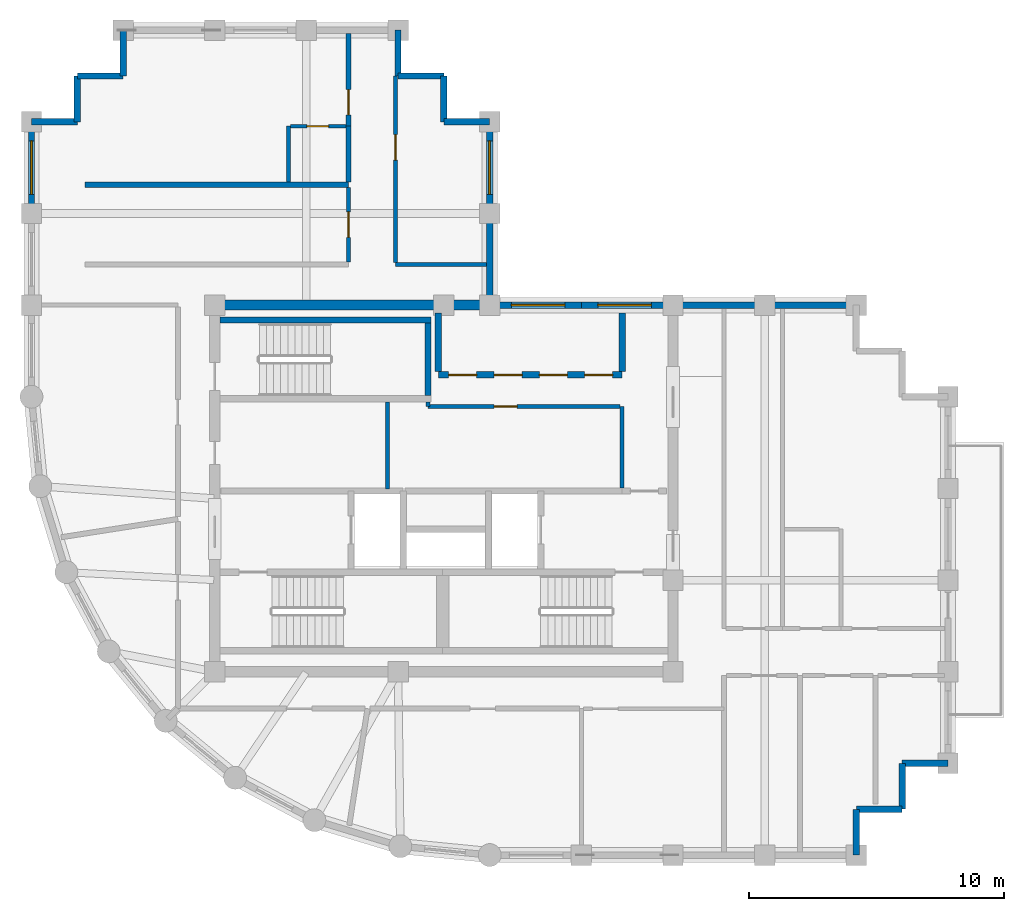
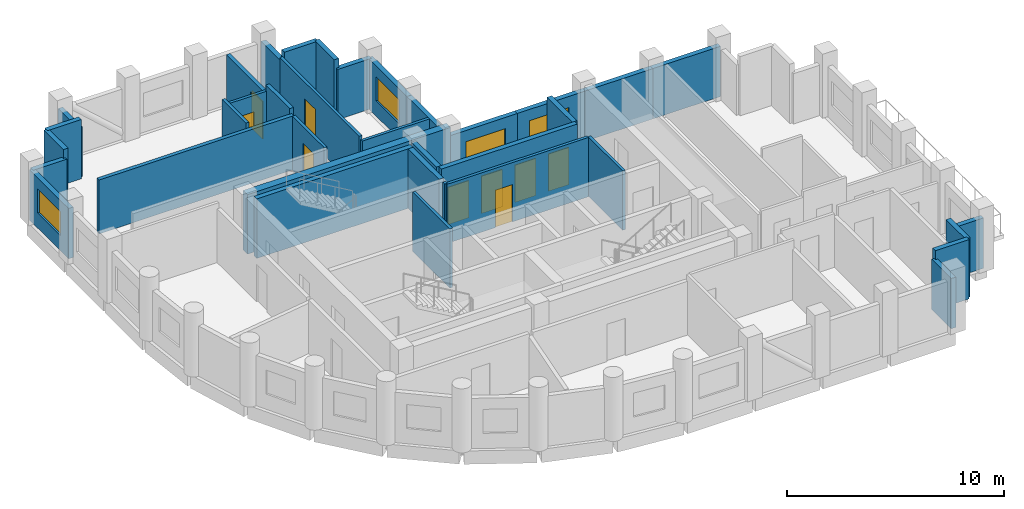
# One storey, part 4 of 6: 37 walls, 9 doors, 4 windows, 13 openings.
"""IFC4 building model written with IfcOpenShell, lengths in metres."""

from ifc_helpers import new_model, si_unit, direction, frame, frame_2d, origin, place, context, subcontext, project, spatial, rectangle, extrude, material, layer, layer_set, type_object, element, fill, save


model = new_model("IFC4")

# Units and contexts
model_context = context("Model", 3, precision=1e-05, world=origin(), true_north=direction((0.0, 1.0)))
body_context = subcontext(model_context, "Body", "Model", "MODEL_VIEW")
ifc_project = project(units=[si_unit("LENGTHUNIT", "METRE"), si_unit("AREAUNIT", "SQUARE_METRE"), si_unit("VOLUMEUNIT", "CUBIC_METRE"), si_unit("PLANEANGLEUNIT", "RADIAN"), si_unit("MASSUNIT", "GRAM", prefix="KILO")], contexts=[model_context])

# Site, building, storey
site_placement = place(None, origin())
site = spatial("IfcSite", under=ifc_project, at=site_placement, CompositionType="ELEMENT")
building_placement = place(site_placement, origin())
building = spatial("IfcBuilding", under=site, at=building_placement, Name="Solnavia Interchange Tower", CompositionType="ELEMENT")
storey_placement = place(building_placement, frame((0.0, 0.0, 224.60009765625)))
storey = spatial("IfcBuildingStorey", under=building, at=storey_placement, Name="L56", CompositionType="ELEMENT", Elevation=224.60009765625)

# Walls
ifc_material_1 = material(Name="Gypsum Acoustic Twin-Stud & Mineral Wool", Category="gypsum")
ifc_layer_1 = layer(ifc_material_1, 0.199951171875)
ifc_layer_set_1 = layer_set([ifc_layer_1], Name="Gypsum Acoustic Twin-Stud & Mineral Wool")
wall_type_1 = type_object("IfcWallType", Name="Wall-ApartmentParty-200", PredefinedType="PARTITIONING", material=ifc_layer_set_1)
wall_1_placement = place(storey_placement, frame((9.300048828125, 29.929931640625, 0.0), z_axis=(0.0, 0.0, 1.0), x_axis=(1.0, 0.0, 0.0)))
element("IfcWall", 1, at=wall_1_placement, inside=storey, type_object=wall_type_1, Name="PTW-L56-25 Interior partition wall", PredefinedType="PARTITIONING", context=body_context, shape_type="SweptSolid", body=[
    extrude(rectangle(XDim=10.349853515625, YDim=0.199951171875, at=frame_2d((5.1748046875, 0.0))), origin(), (0.0, 0.0, 1.0), 3.02978515625),
])
wall_2_placement = place(storey_placement, frame((19.64990234375, 30.033935546875, 0.0), z_axis=(0.0, 0.0, 1.0), x_axis=(0.0, 1.0, 0.0)))
element("IfcWall", 2, at=wall_2_placement, inside=storey, type_object=wall_type_1, Name="PTW-L56-27 Interior partition wall", PredefinedType="PARTITIONING", context=body_context, shape_type="SweptSolid", body=[
    extrude(rectangle(XDim=2.196044921875, YDim=0.199951171875, at=frame_2d((1.09814453125, 0.0))), origin(), (0.0, 0.0, 1.0), 3.3349609375),
])

# Wall, opening, door
wall_3_placement = place(storey_placement, frame((19.64990234375, 32.22998046875, 0.0), z_axis=(0.0, 0.0, 1.0), x_axis=(0.0, 1.0, 0.0)))
wall_3 = element("IfcWall", 3, at=wall_3_placement, inside=storey, type_object=wall_type_1, Name="PTW-L56-28 Interior partition wall", PredefinedType="PARTITIONING", context=body_context, shape_type="SweptSolid", body=[
    extrude(rectangle(XDim=3.64111328125, YDim=0.199951171875, at=frame_2d((1.820556640625, 0.0))), origin(), (0.0, 0.0, 1.0), 2.829833984375),
])
opening_1_placement = place(wall_3_placement, frame((0.43896484375, 0.0, 0.0)))
opening_1 = element("IfcOpeningElement", 4, at=opening_1_placement, cuts=wall_3, Name="Opening DR-06", PredefinedType="OPENING", context=body_context, shape_type="SweptSolid", body=[
    extrude(rectangle(XDim=1.0, YDim=2.10009765625, at=frame_2d((0.5, 1.050048828125))), frame((0.0, 0.10986328125, 0.0), z_axis=(0.0, -1.0, 0.0), x_axis=(1.0, 0.0, 0.0)), (0.0, 0.0, 1.0), 0.219970703125),
])
ifc_material_2 = material(Name="Engineered Timber Acoustic Fire Door", Category="wood")
door_type_1 = type_object("IfcDoorType", Name="Door-FlatEntry-1000x2100", OperationType="SINGLE_SWING_LEFT", PredefinedType="DOOR", material=ifc_material_2)
door_1_placement = place(opening_1_placement, origin())
door_1 = element("IfcDoor", 5, at=door_1_placement, inside=storey, type_object=door_type_1, Name="DR-L56-13 Interior room door", OperationType="SINGLE_SWING_RIGHT", OverallHeight=2.10009765625, OverallWidth=1.0, PredefinedType="DOOR", context=body_context, shape_type="SweptSolid", body=[
    extrude(rectangle(XDim=1.0, YDim=2.10009765625, at=frame_2d((0.5, 1.050048828125))), frame((0.0, 0.02490234375, 0.0), z_axis=(0.0, -1.0, 0.0), x_axis=(1.0, 0.0, 0.0)), (0.0, 0.0, 1.0), 0.050048828125),
])
fill(opening_1, door_1)

# Walls
ifc_material_3 = material(Name="Concrete C40/50", Category="concrete")
ifc_layer_2 = layer(ifc_material_3, 0.25)
ifc_layer_set_2 = layer_set([ifc_layer_2], Name="Concrete C40/50")
wall_type_2 = type_object("IfcWallType", Name="Wall-ExtSpandrel-250", PredefinedType="STANDARD", material=ifc_layer_set_2)
wall_4_placement = place(storey_placement, frame((39.60009765625, 5.39990234375, 0.0), z_axis=(0.0, 0.0, 1.0), x_axis=(0.0, -1.0, 0.0)))
element("IfcWall", 6, at=wall_4_placement, inside=storey, type_object=wall_type_2, Name="EXW-L56-05 Exterior precast spandrel wall", PredefinedType="STANDARD", context=body_context, shape_type="SweptSolid", body=[
    extrude(rectangle(XDim=1.7998046875, YDim=0.25, at=frame_2d((0.89990234375, 0.0))), origin(), (0.0, 0.0, 1.0), 2.829833984375),
])
wall_5_placement = place(storey_placement, frame((41.39990234375, 5.39990234375, 0.0), z_axis=(0.0, 0.0, 1.0), x_axis=(-1.0, 0.0, 0.0)))
element("IfcWall", 7, at=wall_5_placement, inside=storey, type_object=wall_type_2, Name="EXW-L56-06 Exterior precast spandrel wall", PredefinedType="STANDARD", context=body_context, shape_type="SweptSolid", body=[
    extrude(rectangle(XDim=1.7998046875, YDim=0.25, at=frame_2d((0.89990234375, 0.0))), origin(), (0.0, 0.0, 1.0), 3.3349609375),
])
wall_6_placement = place(storey_placement, frame((41.39990234375, 7.199951171875, 0.0), z_axis=(0.0, 0.0, 1.0), x_axis=(0.0, -1.0, 0.0)))
element("IfcWall", 8, at=wall_6_placement, inside=storey, type_object=wall_type_2, Name="EXW-L56-07 Exterior precast spandrel wall", PredefinedType="STANDARD", context=body_context, shape_type="SweptSolid", body=[
    extrude(rectangle(XDim=1.800048828125, YDim=0.25, at=frame_2d((0.89990234375, 0.0))), origin(), (0.0, 0.0, 1.0), 3.3349609375),
])
wall_7_placement = place(storey_placement, frame((43.199951171875, 7.199951171875, 0.0), z_axis=(0.0, 0.0, 1.0), x_axis=(-1.0, 0.0, 0.0)))
element("IfcWall", 9, at=wall_7_placement, inside=storey, type_object=wall_type_2, Name="EXW-L56-08 Exterior precast spandrel wall", PredefinedType="STANDARD", context=body_context, shape_type="SweptSolid", body=[
    extrude(rectangle(XDim=1.800048828125, YDim=0.25, at=frame_2d((0.89990234375, 0.0))), origin(), (0.0, 0.0, 1.0), 2.829833984375),
])
for number, where, z_axis, x_axis, name in (
    (10, (36.0, 25.199951171875, 0.0), (0.0, 0.0, 1.0), (1.0, 0.0, 0.0), "EXW-L56-17 Exterior precast spandrel wall"),
    (11, (32.39990234375, 25.199951171875, 0.0), (0.0, 0.0, 1.0), (1.0, 0.0, 0.0), "EXW-L56-18 Exterior precast spandrel wall"),
):
    element("IfcWall", number, at=place(storey_placement, frame(where, z_axis=z_axis, x_axis=x_axis)), inside=storey, type_object=wall_type_2, Name=name, PredefinedType="STANDARD", context=body_context, shape_type="SweptSolid", body=[
        extrude(rectangle(XDim=3.60009765625, YDim=0.25, at=frame_2d((1.800048828125, 0.0))), origin(), (0.0, 0.0, 1.0), 2.829833984375),
    ])

# Wall, opening, window
wall_8_placement = place(storey_placement, frame((28.800048828125, 25.199951171875, 0.0), z_axis=(0.0, 0.0, 1.0), x_axis=(1.0, 0.0, 0.0)))
wall_8 = element("IfcWall", 12, at=wall_8_placement, inside=storey, type_object=wall_type_2, Name="EXW-L56-19 Exterior precast spandrel wall", PredefinedType="STANDARD", context=body_context, shape_type="SweptSolid", body=[
    extrude(rectangle(XDim=3.599853515625, YDim=0.25, at=frame_2d((1.7998046875, 0.0))), origin(), (0.0, 0.0, 1.0), 2.829833984375),
])
opening_2_placement = place(wall_8_placement, frame((0.64501953125, 0.0, 0.85009765625)))
opening_2 = element("IfcOpeningElement", 13, at=opening_2_placement, cuts=wall_8, Name="Opening WIN-01", PredefinedType="OPENING", context=body_context, shape_type="SweptSolid", body=[
    extrude(rectangle(XDim=2.10009765625, YDim=1.35009765625, at=frame_2d((1.050048828125, 0.675048828125))), frame((0.0, 0.135009765625, 0.0), z_axis=(0.0, -1.0, 0.0), x_axis=(1.0, 0.0, 0.0)), (0.0, 0.0, 1.0), 0.27001953125),
])
ifc_material_4 = material(Name="Thermal-Break Aluminium & Low-E Glass", Category="aluminium")
window_type = type_object("IfcWindowType", Name="Window-Ribbon-2100x1350", PartitioningType="SINGLE_PANEL", PredefinedType="WINDOW", material=ifc_material_4)
window_1_placement = place(opening_2_placement, origin())
window_1 = element("IfcWindow", 14, at=window_1_placement, inside=storey, type_object=window_type, Name="WIN-L56-19 Facade ribbon window", OverallHeight=1.35009765625, OverallWidth=2.10009765625, PartitioningType="SINGLE_PANEL", PredefinedType="WINDOW", context=body_context, shape_type="SweptSolid", body=[
    extrude(rectangle(XDim=2.10009765625, YDim=1.35009765625, at=frame_2d((1.050048828125, 0.675048828125))), frame((0.0, 0.030029296875, 0.0), z_axis=(0.0, -1.0, 0.0), x_axis=(1.0, 0.0, 0.0)), (0.0, 0.0, 1.0), 0.06005859375),
])
fill(opening_2, window_1)

wall_9_placement = place(storey_placement, frame((25.199951171875, 25.199951171875, 0.0), z_axis=(0.0, 0.0, 1.0), x_axis=(1.0, 0.0, 0.0)))
wall_9 = element("IfcWall", 15, at=wall_9_placement, inside=storey, type_object=wall_type_2, Name="EXW-L56-20 Exterior precast spandrel wall", PredefinedType="STANDARD", context=body_context, shape_type="SweptSolid", body=[
    extrude(rectangle(XDim=3.60009765625, YDim=0.25, at=frame_2d((1.800048828125, 0.0))), origin(), (0.0, 0.0, 1.0), 2.829833984375),
])
opening_3_placement = place(wall_9_placement, frame((0.85498046875, 0.0, 0.85009765625)))
opening_3 = element("IfcOpeningElement", 16, at=opening_3_placement, cuts=wall_9, Name="Opening WIN-01", PredefinedType="OPENING", context=body_context, shape_type="SweptSolid", body=[
    extrude(rectangle(XDim=2.10009765625, YDim=1.35009765625, at=frame_2d((1.050048828125, 0.675048828125))), frame((0.0, 0.135009765625, 0.0), z_axis=(0.0, -1.0, 0.0), x_axis=(1.0, 0.0, 0.0)), (0.0, 0.0, 1.0), 0.27001953125),
])
window_2_placement = place(opening_3_placement, origin())
window_2 = element("IfcWindow", 17, at=window_2_placement, inside=storey, type_object=window_type, Name="WIN-L56-20 Facade ribbon window", OverallHeight=1.35009765625, OverallWidth=2.10009765625, PartitioningType="SINGLE_PANEL", PredefinedType="WINDOW", context=body_context, shape_type="SweptSolid", body=[
    extrude(rectangle(XDim=2.10009765625, YDim=1.35009765625, at=frame_2d((1.050048828125, 0.675048828125))), frame((0.0, 0.030029296875, 0.0), z_axis=(0.0, -1.0, 0.0), x_axis=(1.0, 0.0, 0.0)), (0.0, 0.0, 1.0), 0.06005859375),
])
fill(opening_3, window_2)

# Wall
wall_10_placement = place(storey_placement, frame((25.199951171875, 28.800048828125, 0.0), z_axis=(0.0, 0.0, 1.0), x_axis=(0.0, -1.0, 0.0)))
element("IfcWall", 18, at=wall_10_placement, inside=storey, type_object=wall_type_2, Name="EXW-L56-21 Exterior precast spandrel wall", PredefinedType="STANDARD", context=body_context, shape_type="SweptSolid", body=[
    extrude(rectangle(XDim=3.60009765625, YDim=0.25, at=frame_2d((1.800048828125, 0.0))), origin(), (0.0, 0.0, 1.0), 2.829833984375),
])

# Wall, opening, window
wall_11_placement = place(storey_placement, frame((25.199951171875, 32.39990234375, 0.0), z_axis=(0.0, 0.0, 1.0), x_axis=(0.0, -1.0, 0.0)))
wall_11 = element("IfcWall", 19, at=wall_11_placement, inside=storey, type_object=wall_type_2, Name="EXW-L56-22 Exterior precast spandrel wall", PredefinedType="STANDARD", context=body_context, shape_type="SweptSolid", body=[
    extrude(rectangle(XDim=3.599853515625, YDim=0.25, at=frame_2d((1.7998046875, 0.0))), origin(), (0.0, 0.0, 1.0), 2.829833984375),
])
opening_4_placement = place(wall_11_placement, frame((0.75, 0.0, 0.85009765625)))
opening_4 = element("IfcOpeningElement", 20, at=opening_4_placement, cuts=wall_11, Name="Opening WIN-01", PredefinedType="OPENING", context=body_context, shape_type="SweptSolid", body=[
    extrude(rectangle(XDim=2.10009765625, YDim=1.35009765625, at=frame_2d((1.050048828125, 0.675048828125))), frame((0.0, 0.135009765625, 0.0), z_axis=(0.0, -1.0, 0.0), x_axis=(1.0, 0.0, 0.0)), (0.0, 0.0, 1.0), 0.27001953125),
])
window_3_placement = place(opening_4_placement, origin())
window_3 = element("IfcWindow", 21, at=window_3_placement, inside=storey, type_object=window_type, Name="WIN-L56-22 Facade ribbon window", OverallHeight=1.35009765625, OverallWidth=2.10009765625, PartitioningType="SINGLE_PANEL", PredefinedType="WINDOW", context=body_context, shape_type="SweptSolid", body=[
    extrude(rectangle(XDim=2.10009765625, YDim=1.35009765625, at=frame_2d((1.050048828125, 0.675048828125))), frame((0.0, 0.030029296875, 0.0), z_axis=(0.0, -1.0, 0.0), x_axis=(1.0, 0.0, 0.0)), (0.0, 0.0, 1.0), 0.06005859375),
])
fill(opening_4, window_3)

# Walls
wall_12_placement = place(storey_placement, frame((23.39990234375, 32.39990234375, 0.0), z_axis=(0.0, 0.0, 1.0), x_axis=(1.0, 0.0, 0.0)))
element("IfcWall", 22, at=wall_12_placement, inside=storey, type_object=wall_type_2, Name="EXW-L56-23 Exterior precast spandrel wall", PredefinedType="STANDARD", context=body_context, shape_type="SweptSolid", body=[
    extrude(rectangle(XDim=1.800048828125, YDim=0.25, at=frame_2d((0.89990234375, 0.0))), origin(), (0.0, 0.0, 1.0), 2.829833984375),
])
wall_13_placement = place(storey_placement, frame((23.39990234375, 32.39990234375, 0.0), z_axis=(0.0, 0.0, 1.0), x_axis=(0.0, 1.0, 0.0)))
element("IfcWall", 23, at=wall_13_placement, inside=storey, type_object=wall_type_2, Name="EXW-L56-24 Exterior precast spandrel wall", PredefinedType="STANDARD", context=body_context, shape_type="SweptSolid", body=[
    extrude(rectangle(XDim=1.800048828125, YDim=0.25, at=frame_2d((0.89990234375, 0.0))), origin(), (0.0, 0.0, 1.0), 3.3349609375),
])
wall_14_placement = place(storey_placement, frame((21.60009765625, 34.199951171875, 0.0), z_axis=(0.0, 0.0, 1.0), x_axis=(1.0, 0.0, 0.0)))
element("IfcWall", 24, at=wall_14_placement, inside=storey, type_object=wall_type_2, Name="EXW-L56-25 Exterior precast spandrel wall", PredefinedType="STANDARD", context=body_context, shape_type="SweptSolid", body=[
    extrude(rectangle(XDim=1.7998046875, YDim=0.25, at=frame_2d((0.89990234375, 0.0))), origin(), (0.0, 0.0, 1.0), 3.3349609375),
])
for number, where, z_axis, x_axis, name in (
    (25, (21.60009765625, 34.199951171875, 0.0), (0.0, 0.0, 1.0), (0.0, 1.0, 0.0), "EXW-L56-26 Exterior precast spandrel wall"),
    (26, (10.800048828125, 34.199951171875, 0.0), (0.0, 0.0, 1.0), (0.0, 1.0, 0.0), "EXW-L56-30 Exterior precast spandrel wall"),
):
    element("IfcWall", number, at=place(storey_placement, frame(where, z_axis=z_axis, x_axis=x_axis)), inside=storey, type_object=wall_type_2, Name=name, PredefinedType="STANDARD", context=body_context, shape_type="SweptSolid", body=[
        extrude(rectangle(XDim=1.800048828125, YDim=0.25, at=frame_2d((0.89990234375, 0.0))), origin(), (0.0, 0.0, 1.0), 2.829833984375),
    ])
for number, where, z_axis, x_axis, name in (
    (27, (9.0, 34.199951171875, 0.0), (0.0, 0.0, 1.0), (1.0, 0.0, 0.0), "EXW-L56-31 Exterior precast spandrel wall"),
    (28, (9.0, 32.39990234375, 0.0), (0.0, 0.0, 1.0), (0.0, 1.0, 0.0), "EXW-L56-32 Exterior precast spandrel wall"),
):
    element("IfcWall", number, at=place(storey_placement, frame(where, z_axis=z_axis, x_axis=x_axis)), inside=storey, type_object=wall_type_2, Name=name, PredefinedType="STANDARD", context=body_context, shape_type="SweptSolid", body=[
        extrude(rectangle(XDim=1.800048828125, YDim=0.25, at=frame_2d((0.89990234375, 0.0))), origin(), (0.0, 0.0, 1.0), 3.3349609375),
    ])
wall_15_placement = place(storey_placement, frame((7.199951171875, 32.39990234375, 0.0), z_axis=(0.0, 0.0, 1.0), x_axis=(1.0, 0.0, 0.0)))
element("IfcWall", 29, at=wall_15_placement, inside=storey, type_object=wall_type_2, Name="EXW-L56-33 Exterior precast spandrel wall", PredefinedType="STANDARD", context=body_context, shape_type="SweptSolid", body=[
    extrude(rectangle(XDim=1.800048828125, YDim=0.25, at=frame_2d((0.89990234375, 0.0))), origin(), (0.0, 0.0, 1.0), 2.829833984375),
])

# Wall, opening, window
wall_16_placement = place(storey_placement, frame((7.199951171875, 28.800048828125, 0.0), z_axis=(0.0, 0.0, 1.0), x_axis=(0.0, 1.0, 0.0)))
wall_16 = element("IfcWall", 30, at=wall_16_placement, inside=storey, type_object=wall_type_2, Name="EXW-L56-34 Exterior precast spandrel wall", PredefinedType="STANDARD", context=body_context, shape_type="SweptSolid", body=[
    extrude(rectangle(XDim=3.599853515625, YDim=0.25, at=frame_2d((1.7998046875, 0.0))), origin(), (0.0, 0.0, 1.0), 2.829833984375),
])
opening_5_placement = place(wall_16_placement, frame((0.75, 0.0, 0.85009765625)))
opening_5 = element("IfcOpeningElement", 31, at=opening_5_placement, cuts=wall_16, Name="Opening WIN-01", PredefinedType="OPENING", context=body_context, shape_type="SweptSolid", body=[
    extrude(rectangle(XDim=2.10009765625, YDim=1.35009765625, at=frame_2d((1.050048828125, 0.675048828125))), frame((0.0, 0.135009765625, 0.0), z_axis=(0.0, -1.0, 0.0), x_axis=(1.0, 0.0, 0.0)), (0.0, 0.0, 1.0), 0.27001953125),
])
window_4_placement = place(opening_5_placement, origin())
window_4 = element("IfcWindow", 32, at=window_4_placement, inside=storey, type_object=window_type, Name="WIN-L56-34 Facade ribbon window", OverallHeight=1.35009765625, OverallWidth=2.10009765625, PartitioningType="SINGLE_PANEL", PredefinedType="WINDOW", context=body_context, shape_type="SweptSolid", body=[
    extrude(rectangle(XDim=2.10009765625, YDim=1.35009765625, at=frame_2d((1.050048828125, 0.675048828125))), frame((0.0, 0.030029296875, 0.0), z_axis=(0.0, -1.0, 0.0), x_axis=(1.0, 0.0, 0.0)), (0.0, 0.0, 1.0), 0.06005859375),
])
fill(opening_5, window_4)

# Wall, opening, door
ifc_material_5 = material(Name="Gypsum Plasterboard & Steel Stud", Category="steel")
ifc_layer_3 = layer(ifc_material_5, 0.14990234375)
ifc_layer_set_3 = layer_set([ifc_layer_3], Name="Gypsum Plasterboard & Steel Stud")
wall_type_3 = type_object("IfcWallType", Name="Wall-Partition-150", PredefinedType="PARTITIONING", material=ifc_layer_set_3)
wall_17_placement = place(storey_placement, frame((22.77490234375, 21.219970703125, 0.0), z_axis=(0.0, 0.0, 1.0), x_axis=(1.0, 0.0, 0.0)))
wall_17 = element("IfcWall", 33, at=wall_17_placement, inside=storey, type_object=wall_type_3, Name="CSW-L56-N-ALL Core shaft wall", PredefinedType="PARTITIONING", context=body_context, shape_type="SweptSolid", body=[
    extrude(rectangle(XDim=7.545166015625, YDim=0.14990234375, at=frame_2d((3.7724609375, 0.0))), origin(), (0.0, 0.0, 1.0), 3.3349609375),
])
opening_6_placement = place(wall_17_placement, frame((2.60009765625, 0.0, 0.0)))
opening_6 = element("IfcOpeningElement", 34, at=opening_6_placement, cuts=wall_17, Name="Opening DR-09", PredefinedType="OPENING", context=body_context, shape_type="SweptSolid", body=[
    extrude(rectangle(XDim=0.89990234375, YDim=2.10009765625, at=frame_2d((0.449951171875, 1.050048828125))), frame((0.0, 0.0849609375, 0.0), z_axis=(0.0, -1.0, 0.0), x_axis=(1.0, 0.0, 0.0)), (0.0, 0.0, 1.0), 0.169921875),
])
ifc_material_6 = material(Name="Engineered Oak Veneer Door", Category="wood")
door_type_2 = type_object("IfcDoorType", Name="Door-Internal-900x2100", OperationType="SINGLE_SWING_LEFT", PredefinedType="DOOR", material=ifc_material_6)
door_2_placement = place(opening_6_placement, origin())
door_2 = element("IfcDoor", 35, at=door_2_placement, inside=storey, type_object=door_type_2, Name="DR-L56-CS2 Core fire door", OperationType="SINGLE_SWING_RIGHT", OverallHeight=2.10009765625, OverallWidth=0.89990234375, PredefinedType="DOOR", context=body_context, shape_type="SweptSolid", body=[
    extrude(rectangle(XDim=0.89990234375, YDim=2.10009765625, at=frame_2d((0.449951171875, 1.050048828125))), frame((0.0, 0.02490234375, 0.0), z_axis=(0.0, -1.0, 0.0), x_axis=(1.0, 0.0, 0.0)), (0.0, 0.0, 1.0), 0.050048828125),
])
fill(opening_6, door_2)

# Walls
wall_18_placement = place(storey_placement, frame((22.77490234375, 21.219970703125, 0.0), z_axis=(0.0, 0.0, 1.0), x_axis=(0.0, 1.0, 0.0)))
element("IfcWall", 36, at=wall_18_placement, inside=storey, type_object=wall_type_3, Name="CSW-L56-ST-TIE Core shaft wall", PredefinedType="PARTITIONING", context=body_context, shape_type="SweptSolid", body=[
    extrude(rectangle(XDim=0.175048828125, YDim=0.14990234375, at=frame_2d((0.08740234375, 0.0))), origin(), (0.0, 0.0, 1.0), 3.3349609375),
])
wall_19_placement = place(storey_placement, frame((30.39990234375, 18.02001953125, 0.0), z_axis=(0.0, 0.0, 1.0), x_axis=(0.0, 1.0, 0.0)))
element("IfcWall", 37, at=wall_19_placement, inside=storey, type_object=wall_type_3, Name="CSW-L56-E-E Core shaft wall", PredefinedType="PARTITIONING", context=body_context, shape_type="SweptSolid", body=[
    extrude(rectangle(XDim=3.199951171875, YDim=0.14990234375, at=frame_2d((1.60009765625, 0.0))), origin(), (0.0, 0.0, 1.0), 3.3349609375),
])
wall_20_placement = place(storey_placement, frame((21.179931640625, 17.97998046875, 0.0), z_axis=(0.0, 0.0, 1.0), x_axis=(0.0, 1.0, 0.0)))
element("IfcWall", 38, at=wall_20_placement, inside=storey, type_object=wall_type_3, Name="CSW-L56-M0 Core shaft wall", PredefinedType="PARTITIONING", context=body_context, shape_type="SweptSolid", body=[
    extrude(rectangle(XDim=3.419921875, YDim=0.14990234375, at=frame_2d((1.7099609375, 0.0))), origin(), (0.0, 0.0, 1.0), 3.3349609375),
])

# Wall, opening, door
wall_21_placement = place(storey_placement, frame((19.64990234375, 26.904052734375, 0.0), z_axis=(0.0, 0.0, 1.0), x_axis=(0.0, 1.0, 0.0)))
wall_21 = element("IfcWall", 39, at=wall_21_placement, inside=storey, type_object=wall_type_3, Name="PTW-L56-26 Interior partition wall", PredefinedType="PARTITIONING", context=body_context, shape_type="SweptSolid", body=[
    extrude(rectangle(XDim=2.921875, YDim=0.14990234375, at=frame_2d((1.4609375, 0.0))), origin(), (0.0, 0.0, 1.0), 3.02978515625),
])
opening_7_placement = place(wall_21_placement, frame((0.9609375, 0.0, 0.0)))
opening_7 = element("IfcOpeningElement", 40, at=opening_7_placement, cuts=wall_21, Name="Opening DR-07", PredefinedType="OPENING", context=body_context, shape_type="SweptSolid", body=[
    extrude(rectangle(XDim=1.0, YDim=2.10009765625, at=frame_2d((0.5, 1.050048828125))), frame((0.0, 0.0849609375, 0.0), z_axis=(0.0, -1.0, 0.0), x_axis=(1.0, 0.0, 0.0)), (0.0, 0.0, 1.0), 0.169921875),
])
ifc_material_7 = material(Name="Timber & Acoustic Glazed Office Door", Category="wood")
door_type_3 = type_object("IfcDoorType", Name="Door-Office-1000x2100", OperationType="SINGLE_SWING_RIGHT", PredefinedType="DOOR", material=ifc_material_7)
door_3_placement = place(opening_7_placement, origin())
door_3 = element("IfcDoor", 41, at=door_3_placement, inside=storey, type_object=door_type_3, Name="DR-L56-12 Interior room door", OperationType="SINGLE_SWING_RIGHT", OverallHeight=2.10009765625, OverallWidth=1.0, PredefinedType="DOOR", context=body_context, shape_type="SweptSolid", body=[
    extrude(rectangle(XDim=1.0, YDim=2.10009765625, at=frame_2d((0.5, 1.050048828125))), frame((0.0, 0.02490234375, 0.0), z_axis=(0.0, -1.0, 0.0), x_axis=(1.0, 0.0, 0.0)), (0.0, 0.0, 1.0), 0.050048828125),
])
fill(opening_7, door_3)

# Wall
wall_22_placement = place(storey_placement, frame((21.5, 26.800048828125, 0.0), z_axis=(0.0, 0.0, 1.0), x_axis=(1.0, 0.0, 0.0)))
element("IfcWall", 42, at=wall_22_placement, inside=storey, type_object=wall_type_3, Name="PTW-L56-31 Interior partition wall", PredefinedType="PARTITIONING", context=body_context, shape_type="SweptSolid", body=[
    extrude(rectangle(XDim=3.571044921875, YDim=0.14990234375, at=frame_2d((1.78564453125, 0.0))), origin(), (0.0, 0.0, 1.0), 2.829833984375),
])

# Wall, opening, door
wall_23_placement = place(storey_placement, frame((21.5, 26.87890625, 0.0), z_axis=(0.0, 0.0, 1.0), x_axis=(0.0, 1.0, 0.0)))
wall_23 = element("IfcWall", 43, at=wall_23_placement, inside=storey, type_object=wall_type_3, Name="PTW-L56-32 Interior partition wall", PredefinedType="PARTITIONING", context=body_context, shape_type="SweptSolid", body=[
    extrude(rectangle(XDim=7.321044921875, YDim=0.14990234375, at=frame_2d((3.66064453125, 0.0))), origin(), (0.0, 0.0, 1.0), 3.02978515625),
])
opening_8_placement = place(wall_23_placement, frame((4.02099609375, 0.0, 0.0)))
opening_8 = element("IfcOpeningElement", 44, at=opening_8_placement, cuts=wall_23, Name="Opening DR-07", PredefinedType="OPENING", context=body_context, shape_type="SweptSolid", body=[
    extrude(rectangle(XDim=1.0, YDim=2.10009765625, at=frame_2d((0.5, 1.050048828125))), frame((0.0, 0.0849609375, 0.0), z_axis=(0.0, -1.0, 0.0), x_axis=(1.0, 0.0, 0.0)), (0.0, 0.0, 1.0), 0.169921875),
])
door_4_placement = place(opening_8_placement, origin())
door_4 = element("IfcDoor", 45, at=door_4_placement, inside=storey, type_object=door_type_3, Name="DR-L56-15 Interior room door", OperationType="SINGLE_SWING_LEFT", OverallHeight=2.10009765625, OverallWidth=1.0, PredefinedType="DOOR", context=body_context, shape_type="SweptSolid", body=[
    extrude(rectangle(XDim=1.0, YDim=2.10009765625, at=frame_2d((0.5, 1.050048828125))), frame((0.0, 0.02490234375, 0.0), z_axis=(0.0, -1.0, 0.0), x_axis=(1.0, 0.0, 0.0)), (0.0, 0.0, 1.0), 0.050048828125),
])
fill(opening_8, door_4)

# Walls
ifc_layer_4 = layer(ifc_material_3, 0.25)
ifc_layer_set_4 = layer_set([ifc_layer_4], Name="Concrete C40/50")
wall_type_4 = type_object("IfcWallType", Name="Wall-ShaftCore-250", PredefinedType="SHEAR", material=ifc_layer_set_4)
wall_24_placement = place(storey_placement, frame((14.60009765625, 24.614990234375, 0.0), z_axis=(0.0, 0.0, 1.0), x_axis=(1.0, 0.0, 0.0)))
element("IfcWall", 46, at=wall_24_placement, inside=storey, type_object=wall_type_4, Name="SHW-L56-ST3N Core shear wall", PredefinedType="SHEAR", context=body_context, shape_type="SweptSolid", body=[
    extrude(rectangle(XDim=8.2998046875, YDim=0.25, at=frame_2d((4.14990234375, 0.0))), origin(), (0.0, 0.0, 1.0), 3.349853515625),
])
wall_25_placement = place(storey_placement, frame((22.77490234375, 21.64990234375, 0.0), z_axis=(0.0, 0.0, 1.0), x_axis=(0.0, 1.0, 0.0)))
element("IfcWall", 47, at=wall_25_placement, inside=storey, type_object=wall_type_4, Name="SHW-L56-ST3E Core shear wall", PredefinedType="SHEAR", context=body_context, shape_type="SweptSolid", body=[
    extrude(rectangle(XDim=2.840087890625, YDim=0.25, at=frame_2d((1.419921875, 0.0))), origin(), (0.0, 0.0, 1.0), 3.349853515625),
])

# Wall, openings, doors
ifc_layer_5 = layer(ifc_material_3, 0.25)
ifc_layer_set_5 = layer_set([ifc_layer_5], Name="Concrete C40/50")
wall_type_5 = type_object("IfcWallType", Name="Wall-ShaftPart-250", PredefinedType="PARTITIONING", material=ifc_layer_set_5)
wall_26_placement = place(storey_placement, frame((23.179931640625, 22.4599609375, 0.0), z_axis=(0.0, 0.0, 1.0), x_axis=(1.0, 0.0, 0.0)))
wall_26 = element("IfcWall", 48, at=wall_26_placement, inside=storey, type_object=wall_type_5, Name="SHW-L56-B3S Core shaft wall", PredefinedType="PARTITIONING", context=body_context, shape_type="SweptSolid", body=[
    extrude(rectangle(XDim=7.219970703125, YDim=0.25, at=frame_2d((3.60986328125, 0.0))), origin(), (0.0, 0.0, 1.0), 3.3349609375),
])
opening_9_placement = place(wall_26_placement, frame((0.409912109375, 0.0, 0.0)))
opening_9 = element("IfcOpeningElement", 49, at=opening_9_placement, cuts=wall_26, Name="Opening LD-01", PredefinedType="OPENING", context=body_context, shape_type="SweptSolid", body=[
    extrude(rectangle(XDim=1.10009765625, YDim=2.10009765625, at=frame_2d((0.550048828125, 1.050048828125))), frame((0.0, 0.135009765625, 0.0), z_axis=(0.0, -1.0, 0.0), x_axis=(1.0, 0.0, 0.0)), (0.0, 0.0, 1.0), 0.27001953125),
])
opening_10_placement = place(wall_26_placement, frame((2.18994140625, 0.0, 0.0)))
opening_10 = element("IfcOpeningElement", 50, at=opening_10_placement, cuts=wall_26, Name="Opening LD-01", PredefinedType="OPENING", context=body_context, shape_type="SweptSolid", body=[
    extrude(rectangle(XDim=1.10009765625, YDim=2.10009765625, at=frame_2d((0.550048828125, 1.050048828125))), frame((0.0, 0.135009765625, 0.0), z_axis=(0.0, -1.0, 0.0), x_axis=(1.0, 0.0, 0.0)), (0.0, 0.0, 1.0), 0.27001953125),
])
opening_11_placement = place(wall_26_placement, frame((3.969970703125, 0.0, 0.0)))
opening_11 = element("IfcOpeningElement", 51, at=opening_11_placement, cuts=wall_26, Name="Opening LD-01", PredefinedType="OPENING", context=body_context, shape_type="SweptSolid", body=[
    extrude(rectangle(XDim=1.10009765625, YDim=2.10009765625, at=frame_2d((0.550048828125, 1.050048828125))), frame((0.0, 0.135009765625, 0.0), z_axis=(0.0, -1.0, 0.0), x_axis=(1.0, 0.0, 0.0)), (0.0, 0.0, 1.0), 0.27001953125),
])
opening_12_placement = place(wall_26_placement, frame((5.75, 0.0, 0.0)))
opening_12 = element("IfcOpeningElement", 52, at=opening_12_placement, cuts=wall_26, Name="Opening LD-01", PredefinedType="OPENING", context=body_context, shape_type="SweptSolid", body=[
    extrude(rectangle(XDim=1.10009765625, YDim=2.10009765625, at=frame_2d((0.550048828125, 1.050048828125))), frame((0.0, 0.135009765625, 0.0), z_axis=(0.0, -1.0, 0.0), x_axis=(1.0, 0.0, 0.0)), (0.0, 0.0, 1.0), 0.27001953125),
])
ifc_material_8 = material(Name="Brushed Stainless Steel Sliding Door", Category="steel")
door_type_4 = type_object("IfcDoorType", Name="Door-LiftLanding-1100x2100", OperationType="SLIDING_TO_LEFT", PredefinedType="DOOR", material=ifc_material_8)
door_5_placement = place(opening_9_placement, origin())
door_5 = element("IfcDoor", 53, at=door_5_placement, inside=storey, type_object=door_type_4, Name="LD-L56-B3-1 Lift landing sliding door", OperationType="SLIDING_TO_LEFT", OverallHeight=2.10009765625, OverallWidth=1.10009765625, PredefinedType="DOOR", context=body_context, shape_type="SweptSolid", body=[
    extrude(rectangle(XDim=1.10009765625, YDim=2.10009765625, at=frame_2d((0.550048828125, 1.050048828125))), frame((0.0, 0.02490234375, 0.0), z_axis=(0.0, -1.0, 0.0), x_axis=(1.0, 0.0, 0.0)), (0.0, 0.0, 1.0), 0.050048828125),
])
fill(opening_9, door_5)
door_6_placement = place(opening_10_placement, origin())
door_6 = element("IfcDoor", 54, at=door_6_placement, inside=storey, type_object=door_type_4, Name="LD-L56-B3-2 Lift landing sliding door", OperationType="SLIDING_TO_LEFT", OverallHeight=2.10009765625, OverallWidth=1.10009765625, PredefinedType="DOOR", context=body_context, shape_type="SweptSolid", body=[
    extrude(rectangle(XDim=1.10009765625, YDim=2.10009765625, at=frame_2d((0.550048828125, 1.050048828125))), frame((0.0, 0.02490234375, 0.0), z_axis=(0.0, -1.0, 0.0), x_axis=(1.0, 0.0, 0.0)), (0.0, 0.0, 1.0), 0.050048828125),
])
fill(opening_10, door_6)
door_7_placement = place(opening_11_placement, origin())
door_7 = element("IfcDoor", 55, at=door_7_placement, inside=storey, type_object=door_type_4, Name="LD-L56-B3-3 Lift landing sliding door", OperationType="SLIDING_TO_LEFT", OverallHeight=2.10009765625, OverallWidth=1.10009765625, PredefinedType="DOOR", context=body_context, shape_type="SweptSolid", body=[
    extrude(rectangle(XDim=1.10009765625, YDim=2.10009765625, at=frame_2d((0.550048828125, 1.050048828125))), frame((0.0, 0.02490234375, 0.0), z_axis=(0.0, -1.0, 0.0), x_axis=(1.0, 0.0, 0.0)), (0.0, 0.0, 1.0), 0.050048828125),
])
fill(opening_11, door_7)
door_8_placement = place(opening_12_placement, origin())
door_8 = element("IfcDoor", 56, at=door_8_placement, inside=storey, type_object=door_type_4, Name="LD-L56-B3-4 Lift landing sliding door", OperationType="SLIDING_TO_LEFT", OverallHeight=2.10009765625, OverallWidth=1.10009765625, PredefinedType="DOOR", context=body_context, shape_type="SweptSolid", body=[
    extrude(rectangle(XDim=1.10009765625, YDim=2.10009765625, at=frame_2d((0.550048828125, 1.050048828125))), frame((0.0, 0.02490234375, 0.0), z_axis=(0.0, -1.0, 0.0), x_axis=(1.0, 0.0, 0.0)), (0.0, 0.0, 1.0), 0.050048828125),
])
fill(opening_12, door_8)

# Walls
for number, where, z_axis, x_axis, name in (
    (57, (23.179931640625, 22.5849609375, 0.0), (0.0, 0.0, 1.0), (0.0, 1.0, 0.0), "SHW-L56-B3W Core shaft wall"),
    (58, (30.39990234375, 22.5849609375, 0.0), (0.0, 0.0, 1.0), (0.0, 1.0, 0.0), "SHW-L56-B3E Core shaft wall"),
):
    element("IfcWall", number, at=place(storey_placement, frame(where, z_axis=z_axis, x_axis=x_axis)), inside=storey, type_object=wall_type_5, Name=name, PredefinedType="PARTITIONING", context=body_context, shape_type="SweptSolid", body=[
        extrude(rectangle(XDim=2.31494140625, YDim=0.25, at=frame_2d((1.157470703125, 0.0))), origin(), (0.0, 0.0, 1.0), 3.3349609375),
    ])
ifc_material_9 = material(Name="Concrete C50/60", Category="concrete")
ifc_layer_6 = layer(ifc_material_9, 0.39990234375)
ifc_layer_set_6 = layer_set([ifc_layer_6], Name="Concrete C50/60")
wall_type_6 = type_object("IfcWallType", Name="Wall-ShearCore-400", PredefinedType="SHEAR", material=ifc_layer_set_6)
wall_27_placement = place(storey_placement, frame((14.39990234375, 25.199951171875, 0.0), z_axis=(0.0, 0.0, 1.0), x_axis=(1.0, 0.0, 0.0)))
element("IfcWall", 59, at=wall_27_placement, inside=storey, type_object=wall_type_6, Name="CRW-L56-N Core shear wall", PredefinedType="SHEAR", context=body_context, shape_type="SweptSolid", body=[
    extrude(rectangle(XDim=10.800048828125, YDim=0.39990234375, at=frame_2d((5.39990234375, 0.0))), origin(), (0.0, 0.0, 1.0), 3.349853515625),
])
ifc_material_10 = material(Name="Moisture-Resistant Gypsum & Steel Stud", Category="steel")
ifc_layer_7 = layer(ifc_material_10, 0.14990234375)
ifc_layer_set_7 = layer_set([ifc_layer_7], Name="Moisture-Resistant Gypsum & Steel Stud")
wall_type_7 = type_object("IfcWallType", Name="Wall-WetRoom-150", PredefinedType="PARTITIONING", material=ifc_layer_set_7)
wall_28_placement = place(storey_placement, frame((17.300048828125, 30.033935546875, 0.0), z_axis=(0.0, 0.0, 1.0), x_axis=(0.0, 1.0, 0.0)))
element("IfcWall", 60, at=wall_28_placement, inside=storey, type_object=wall_type_7, Name="PTW-L56-29 Interior partition wall", PredefinedType="PARTITIONING", context=body_context, shape_type="SweptSolid", body=[
    extrude(rectangle(XDim=2.196044921875, YDim=0.14990234375, at=frame_2d((1.09814453125, 0.0))), origin(), (0.0, 0.0, 1.0), 3.3349609375),
])

# Wall, opening, door
wall_29_placement = place(storey_placement, frame((17.37890625, 32.22998046875, 0.0), z_axis=(0.0, 0.0, 1.0), x_axis=(1.0, 0.0, 0.0)))
wall_29 = element("IfcWall", 61, at=wall_29_placement, inside=storey, type_object=wall_type_7, Name="PTW-L56-30 Interior partition wall", PredefinedType="PARTITIONING", context=body_context, shape_type="SweptSolid", body=[
    extrude(rectangle(XDim=2.1669921875, YDim=0.14990234375, at=frame_2d((1.08349609375, 0.0))), origin(), (0.0, 0.0, 1.0), 3.02978515625),
])
opening_13_placement = place(wall_29_placement, frame((0.64111328125, 0.0, 0.0)))
opening_13 = element("IfcOpeningElement", 62, at=opening_13_placement, cuts=wall_29, Name="Opening DR-10", PredefinedType="OPENING", context=body_context, shape_type="SweptSolid", body=[
    extrude(rectangle(XDim=0.85009765625, YDim=2.10009765625, at=frame_2d((0.425048828125, 1.050048828125))), frame((0.0, 0.0849609375, 0.0), z_axis=(0.0, -1.0, 0.0), x_axis=(1.0, 0.0, 0.0)), (0.0, 0.0, 1.0), 0.169921875),
])
ifc_material_11 = material(Name="Moisture-Resistant Timber Door", Category="wood")
door_type_5 = type_object("IfcDoorType", Name="Door-Bathroom-850x2100", OperationType="SINGLE_SWING_RIGHT", PredefinedType="DOOR", material=ifc_material_11)
door_9_placement = place(opening_13_placement, origin())
door_9 = element("IfcDoor", 63, at=door_9_placement, inside=storey, type_object=door_type_5, Name="DR-L56-14 Interior room door", OperationType="SINGLE_SWING_RIGHT", OverallHeight=2.10009765625, OverallWidth=0.85009765625, PredefinedType="DOOR", context=body_context, shape_type="SweptSolid", body=[
    extrude(rectangle(XDim=0.85009765625, YDim=2.10009765625, at=frame_2d((0.425048828125, 1.050048828125))), frame((0.0, 0.02490234375, 0.0), z_axis=(0.0, -1.0, 0.0), x_axis=(1.0, 0.0, 0.0)), (0.0, 0.0, 1.0), 0.050048828125),
])
fill(opening_13, door_9)

save(model, "model.ifc")
